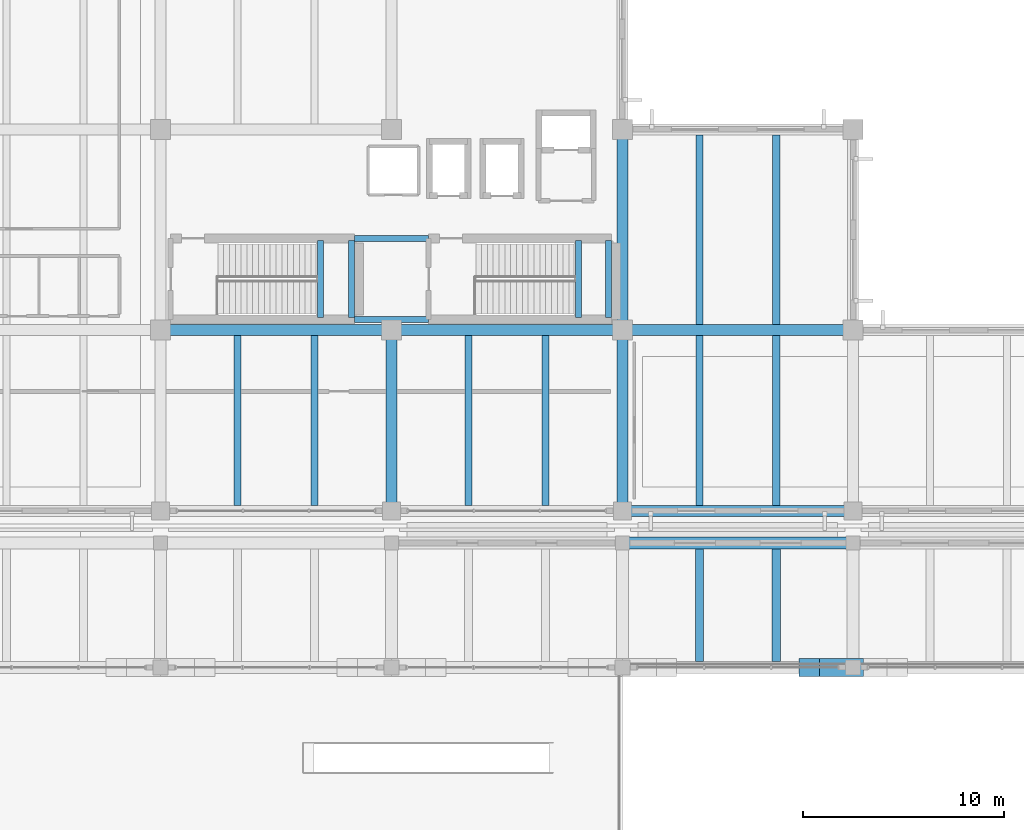
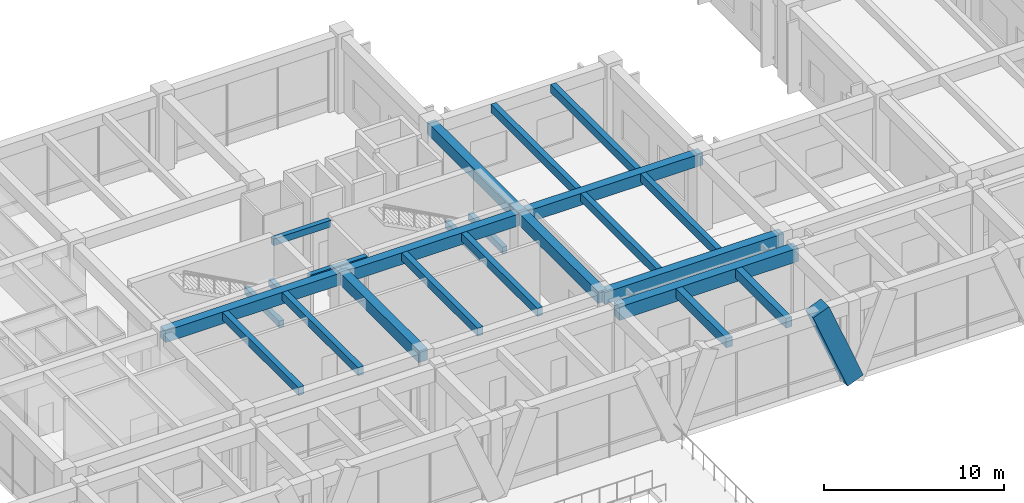
# One storey, part 105 of 148: 24 beams, 1 member.
"""IFC4 building model written with IfcOpenShell, lengths in metres."""

from ifc_helpers import new_model, si_unit, direction, frame, origin, origin_2d, place, context, subcontext, project, spatial, rectangle, extrude, material, material_profile, profile_set, type_object, element, save


model = new_model("IFC4")

# Units and contexts
model_context = context("Model", 3, precision=1e-05, world=origin(), true_north=direction((0.0, 1.0)))
body_context = subcontext(model_context, "Body", "Model", "MODEL_VIEW")
ifc_project = project(units=[si_unit("LENGTHUNIT", "METRE"), si_unit("AREAUNIT", "SQUARE_METRE"), si_unit("VOLUMEUNIT", "CUBIC_METRE"), si_unit("PLANEANGLEUNIT", "RADIAN"), si_unit("MASSUNIT", "GRAM", prefix="KILO")], contexts=[model_context])

# Site, building, storey
site_placement = place(None, origin())
site = spatial("IfcSite", under=ifc_project, at=site_placement, CompositionType="ELEMENT")
building_placement = place(site_placement, origin())
building = spatial("IfcBuilding", under=site, at=building_placement, Name="Ologun Quay Terminus", CompositionType="ELEMENT")
storey_placement = place(building_placement, frame((0.0, 0.0, 8.39990234375)))
storey = spatial("IfcBuildingStorey", under=building, at=storey_placement, Name="L02", CompositionType="ELEMENT", Elevation=8.39990234375)

# Beams
ifc_material_1 = material(Name="Concrete C40/50", Category="concrete")
ifc_material_profile_1 = material_profile(ifc_material_1, rectangle(XDim=0.300048828125, YDim=0.449951171875, at=origin_2d()), Name="RC 300x450")
ifc_profile_set_1 = profile_set([ifc_material_profile_1], Name="Concrete C40/50")
beam_type_1 = type_object("IfcBeamType", Name="Core Coupling Lintel Beam 300x450", PredefinedType="LINTEL", material=ifc_profile_set_1)
for number, where, z_axis, x_axis, name in (
    (1, (136.14990234375, 95.324951171875, 4.925048828125), (1.0, 0.0, 0.0), (0.0, 1.0, 0.0), "LN1 Beam 13/H L02"),
    (2, (136.14990234375, 99.375, 4.925048828125), (1.0, 0.0, 0.0), (0.0, 1.0, 0.0), "LN1 Beam 13/H L02"),
):
    element("IfcBeam", number, at=place(storey_placement, frame(where, z_axis=z_axis, x_axis=x_axis)), inside=storey, type_object=beam_type_1, Name=name, PredefinedType="LINTEL", context=body_context, shape_type="SweptSolid", body=[
        extrude(rectangle(XDim=0.300048828125, YDim=0.449951171875, at=origin_2d()), origin(), (0.0, 0.0, 1.0), 3.7001953125),
    ])
for number, where, z_axis, x_axis, name in (
    (3, (134.469970703125, 95.429931640625, 2.295166015625), (0.0, 1.0, 0.0), (-1.0, 0.0, 0.0), "LN1 Half-Landing Ledger Beam ST-E1-W L02"),
    (4, (136.010009765625, 95.429931640625, 2.295166015625), (0.0, 1.0, 0.0), (-1.0, 0.0, 0.0), "LN1 Half-Landing Ledger Beam ST-E1-E L02"),
    (5, (147.320068359375, 95.429931640625, 2.295166015625), (0.0, 1.0, 0.0), (-1.0, 0.0, 0.0), "LN1 Half-Landing Ledger Beam ST-E2-W L02"),
    (6, (148.81005859375, 95.429931640625, 2.295166015625), (0.0, 1.0, 0.0), (-1.0, 0.0, 0.0), "LN1 Half-Landing Ledger Beam ST-E2-E L02"),
):
    element("IfcBeam", number, at=place(storey_placement, frame(where, z_axis=z_axis, x_axis=x_axis)), inside=storey, type_object=beam_type_1, Name=name, PredefinedType="LINTEL", context=body_context, shape_type="SweptSolid", body=[
        extrude(rectangle(XDim=0.300048828125, YDim=0.449951171875, at=origin_2d()), origin(), (0.0, 0.0, 1.0), 3.840087890625),
    ])
ifc_material_2 = material(Name="Concrete C40/50", Category="concrete")
ifc_material_profile_2 = material_profile(ifc_material_2, rectangle(XDim=0.550048828125, YDim=0.800048828125, at=origin_2d()), Name="RC 550x800")
ifc_profile_set_2 = profile_set([ifc_material_profile_2], Name="Concrete C40/50")
beam_type_2 = type_object("IfcBeamType", Name="Courtyard Wing Primary Girder 550x800", PredefinedType="BEAM", material=ifc_profile_set_2)
for number, where, z_axis, x_axis, name in (
    (7, (149.5, 85.800048828125, 4.75), (1.0, 0.0, 0.0), (0.0, 1.0, 0.0), "B4 Beam 14/G2 L02"),
    (8, (126.5, 94.800048828125, 4.75), (1.0, 0.0, 0.0), (0.0, 1.0, 0.0), "B4 Beam 12/H L02"),
    (9, (138.0, 94.800048828125, 4.75), (1.0, 0.0, 0.0), (0.0, 1.0, 0.0), "B4 Beam 13/H L02"),
    (10, (149.5, 94.800048828125, 4.75), (1.0, 0.0, 0.0), (0.0, 1.0, 0.0), "B4 Beam 14/H L02"),
):
    element("IfcBeam", number, at=place(storey_placement, frame(where, z_axis=z_axis, x_axis=x_axis)), inside=storey, type_object=beam_type_2, Name=name, PredefinedType="BEAM", context=body_context, shape_type="SweptSolid", body=[
        extrude(rectangle(XDim=0.550048828125, YDim=0.800048828125, at=origin_2d()), origin(), (0.0, 0.0, 1.0), 11.5),
    ])
for number, where, z_axis, x_axis, name in (
    (11, (138.0, 85.800048828125, 4.75), (0.0, 1.0, 0.0), (-1.0, 0.0, 0.0), "B4 Beam 13/G2 L02"),
    (12, (149.5, 85.800048828125, 4.75), (0.0, 1.0, 0.0), (-1.0, 0.0, 0.0), "B4 Beam 14/G2 L02"),
):
    element("IfcBeam", number, at=place(storey_placement, frame(where, z_axis=z_axis, x_axis=x_axis)), inside=storey, type_object=beam_type_2, Name=name, PredefinedType="BEAM", context=body_context, shape_type="SweptSolid", body=[
        extrude(rectangle(XDim=0.550048828125, YDim=0.800048828125, at=origin_2d()), origin(), (0.0, 0.0, 1.0), 9.0),
    ])
beam_1_placement = place(storey_placement, frame((149.5, 94.800048828125, 4.75), z_axis=(0.0, 1.0, 0.0), x_axis=(-1.0, 0.0, 0.0)))
element("IfcBeam", 13, at=beam_1_placement, inside=storey, type_object=beam_type_2, Name="B4 Beam 14/H L02", PredefinedType="BEAM", context=body_context, shape_type="SweptSolid", body=[
    extrude(rectangle(XDim=0.550048828125, YDim=0.800048828125, at=origin_2d()), origin(), (0.0, 0.0, 1.0), 10.0),
])
ifc_material_3 = material(Name="Concrete C40/50", Category="concrete")
ifc_material_profile_3 = material_profile(ifc_material_3, rectangle(XDim=0.35009765625, YDim=0.550048828125, at=origin_2d()), Name="RC 350x550")
ifc_profile_set_3 = profile_set([ifc_material_profile_3], Name="Concrete C40/50")
beam_type_3 = type_object("IfcBeamType", Name="Courtyard Wing Secondary Joist 350x550", PredefinedType="JOIST", material=ifc_profile_set_3)
for number, where, z_axis, x_axis, name in (
    (14, (130.333251953125, 86.074951171875, 4.875), (0.0, 1.0, 0.0), (-1.0, 0.0, 0.0), "J2 Beam 12/G2 L02"),
    (15, (134.166748046875, 86.074951171875, 4.875), (0.0, 1.0, 0.0), (-1.0, 0.0, 0.0), "J2 Beam 12/G2 L02"),
    (16, (141.833251953125, 86.074951171875, 4.875), (0.0, 1.0, 0.0), (-1.0, 0.0, 0.0), "J2 Beam 13/G2 L02"),
    (17, (145.666748046875, 86.074951171875, 4.875), (0.0, 1.0, 0.0), (-1.0, 0.0, 0.0), "J2 Beam 13/G2 L02"),
    (18, (153.333251953125, 86.074951171875, 4.875), (0.0, 1.0, 0.0), (-1.0, 0.0, 0.0), "J2 Beam 14/G2 L02"),
    (19, (157.166748046875, 86.074951171875, 4.875), (0.0, 1.0, 0.0), (-1.0, 0.0, 0.0), "J2 Beam 14/G2 L02"),
):
    element("IfcBeam", number, at=place(storey_placement, frame(where, z_axis=z_axis, x_axis=x_axis)), inside=storey, type_object=beam_type_3, Name=name, PredefinedType="JOIST", context=body_context, shape_type="SweptSolid", body=[
        extrude(rectangle(XDim=0.35009765625, YDim=0.550048828125, at=origin_2d()), origin(), (0.0, 0.0, 1.0), 8.449951171875),
    ])
for number, where, z_axis, x_axis, name in (
    (20, (153.333251953125, 95.074951171875, 4.875), (0.0, 1.0, 0.0), (-1.0, 0.0, 0.0), "J2 Beam 14/H L02"),
    (21, (157.166748046875, 95.074951171875, 4.875), (0.0, 1.0, 0.0), (-1.0, 0.0, 0.0), "J2 Beam 14/H L02"),
):
    element("IfcBeam", number, at=place(storey_placement, frame(where, z_axis=z_axis, x_axis=x_axis)), inside=storey, type_object=beam_type_3, Name=name, PredefinedType="JOIST", context=body_context, shape_type="SweptSolid", body=[
        extrude(rectangle(XDim=0.35009765625, YDim=0.550048828125, at=origin_2d()), origin(), (0.0, 0.0, 1.0), 9.449951171875),
    ])

# Member
ifc_material_4 = material(Name="Concrete C45/55", Category="concrete")
ifc_material_profile_4 = material_profile(ifc_material_4, rectangle(XDim=0.89990234375, YDim=1.10009765625, at=origin_2d()), Name="RC 900x1100")
ifc_profile_set_4 = profile_set([ifc_material_profile_4], Name="Concrete C45/55")
member_type = type_object("IfcMemberType", Name="Sculpted Concrete Arch V-Buttress Strut 900x1100", PredefinedType="STRUT", material=ifc_profile_set_4)
member_placement = place(storey_placement, frame((161.0, 78.0, 0.0), z_axis=(-0.377280927807, 0.0, 0.926098861631), x_axis=(0.0, -1.0, 0.0)))
element("IfcMember", 22, at=member_placement, inside=storey, type_object=member_type, Name="VS1 Arch V-Buttress West Limb 15/F", PredefinedType="STRUT", context=body_context, shape_type="SweptSolid", body=[
    extrude(rectangle(XDim=0.89990234375, YDim=1.10009765625, at=origin_2d()), origin(), (0.0, 0.0, 1.0), 5.8310546875),
])

# Beams
ifc_material_5 = material(Name="Concrete C40/50", Category="concrete")
ifc_material_profile_5 = material_profile(ifc_material_5, rectangle(XDim=0.60009765625, YDim=0.89990234375, at=origin_2d()), Name="RC 600x900")
ifc_profile_set_5 = profile_set([ifc_material_profile_5], Name="Concrete C40/50")
beam_type_4 = type_object("IfcBeamType", Name="Station Frame Girder 600x900", PredefinedType="BEAM", material=ifc_profile_set_5)
beam_2_placement = place(storey_placement, frame((149.5, 84.199951171875, 4.7001953125), z_axis=(1.0, 0.0, 0.0), x_axis=(0.0, 1.0, 0.0)))
element("IfcBeam", 23, at=beam_2_placement, inside=storey, type_object=beam_type_4, Name="B3 Beam 14/G1 L02", PredefinedType="BEAM", context=body_context, shape_type="SweptSolid", body=[
    extrude(rectangle(XDim=0.60009765625, YDim=0.89990234375, at=origin_2d()), origin(), (0.0, 0.0, 1.0), 11.5),
])
ifc_material_6 = material(Name="Concrete C40/50", Category="concrete")
ifc_material_profile_6 = material_profile(ifc_material_6, rectangle(XDim=0.39990234375, YDim=0.64990234375, at=origin_2d()), Name="RC 400x650")
ifc_profile_set_6 = profile_set([ifc_material_profile_6], Name="Concrete C40/50")
beam_type_5 = type_object("IfcBeamType", Name="Station Secondary Joist 400x650", PredefinedType="JOIST", material=ifc_profile_set_6)
for number, where, z_axis, x_axis, name in (
    (24, (153.333251953125, 78.300048828125, 4.8251953125), (0.0, 1.0, 0.0), (-1.0, 0.0, 0.0), "J1 Beam 14/F L02"),
    (25, (157.166748046875, 78.300048828125, 4.8251953125), (0.0, 1.0, 0.0), (-1.0, 0.0, 0.0), "J1 Beam 14/F L02"),
):
    element("IfcBeam", number, at=place(storey_placement, frame(where, z_axis=z_axis, x_axis=x_axis)), inside=storey, type_object=beam_type_5, Name=name, PredefinedType="JOIST", context=body_context, shape_type="SweptSolid", body=[
        extrude(rectangle(XDim=0.39990234375, YDim=0.64990234375, at=origin_2d()), origin(), (0.0, 0.0, 1.0), 5.599853515625),
    ])

save(model, "model.ifc")
